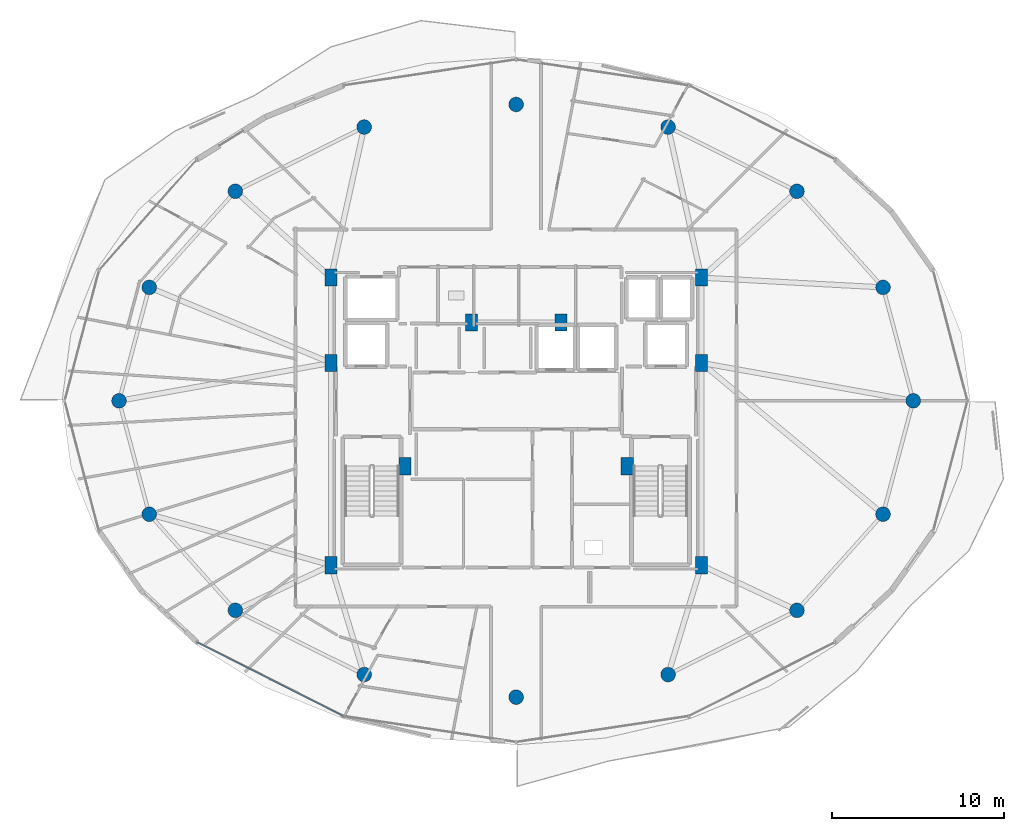
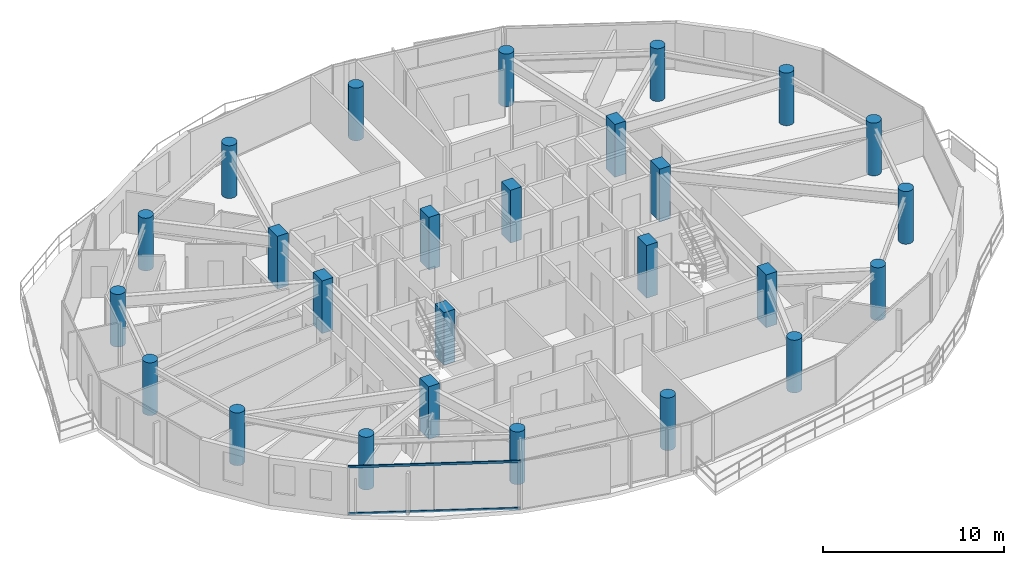
# One storey, part 1 of 25: 26 columns, 2 members, 1 element without a shape of its own.
"""IFC4 building model written with IfcOpenShell, lengths in metres."""

from ifc_helpers import new_model, si_unit, direction, frame, origin, origin_2d, place, context, subcontext, project, spatial, rectangle, hollow_rectangle, circle, extrude, material, material_profile, profile_set, type_object, element, aggregate, save


model = new_model("IFC4")

# Units and contexts
model_context = context("Model", 3, precision=1e-05, world=origin(), true_north=direction((0.0, 1.0)))
body_context = subcontext(model_context, "Body", "Model", "MODEL_VIEW")
ifc_project = project(units=[si_unit("LENGTHUNIT", "METRE"), si_unit("AREAUNIT", "SQUARE_METRE"), si_unit("VOLUMEUNIT", "CUBIC_METRE"), si_unit("PLANEANGLEUNIT", "RADIAN"), si_unit("MASSUNIT", "GRAM", prefix="KILO")], contexts=[model_context])

# Site, building, storey
site_placement = place(None, origin())
site = spatial("IfcSite", under=ifc_project, at=site_placement, CompositionType="ELEMENT")
building_placement = place(site_placement, origin())
building = spatial("IfcBuilding", under=site, at=building_placement, Name="Vorneva Point Tower", CompositionType="ELEMENT")
storey_placement = place(building_placement, frame((0.0, 0.0, 276.85009765625)))
storey = spatial("IfcBuildingStorey", under=building, at=storey_placement, Name="L75", CompositionType="ELEMENT", Elevation=276.85009765625)

# Columns
ifc_material_1 = material(Name="Concrete B50 (C40/50)", Category="concrete")
ifc_material_profile_1 = material_profile(ifc_material_1, circle(Radius=0.425048828125, at=origin_2d()), Name="RC-CIRC 850")
ifc_profile_set_1 = profile_set([ifc_material_profile_1], Name="Concrete B50 (C40/50)")
column_type_1 = type_object("IfcColumnType", Name="COL-RC850C", PredefinedType="COLUMN", material=ifc_profile_set_1)
for number, where, z_axis, x_axis, name in (
    (1, (61.050048828125, 26.0, 0.0), (0.0, 0.0, 1.0), (1.0, 0.0, 0.0), "L75 Perimeter Column P01"),
    (2, (59.29541015625, 32.582275390625, 0.0), (0.0, 0.0, 1.0), (0.923879532511, 0.382683432365, 0.0), "L75 Perimeter Column P02"),
    (3, (54.298828125, 38.162109375, 0.0), (0.0, 0.0, 1.0), (0.707106781187, 0.707106781187, 0.0), "L75 Perimeter Column P03"),
    (4, (46.82080078125, 41.890625, 0.0), (0.0, 0.0, 1.0), (0.382683432365, 0.923879532511, 0.0), "L75 Perimeter Column P04"),
    (5, (38.0, 43.199951171875, 0.0), (0.0, 0.0, 1.0), (0.0, 1.0, 0.0), "L75 Perimeter Column P05"),
    (6, (29.17919921875, 41.890625, 0.0), (0.0, 0.0, 1.0), (-0.382683432365, 0.923879532511, 0.0), "L75 Perimeter Column P06"),
    (7, (21.701171875, 38.162109375, 0.0), (0.0, 0.0, 1.0), (-0.707106781187, 0.707106781187, 0.0), "L75 Perimeter Column P07"),
    (8, (16.70458984375, 32.582275390625, 0.0), (0.0, 0.0, 1.0), (-0.923879532511, 0.382683432365, 0.0), "L75 Perimeter Column P08"),
    (9, (14.949951171875, 26.0, 0.0), (0.0, 0.0, 1.0), (-1.0, 0.0, 0.0), "L75 Perimeter Column P09"),
    (10, (16.70458984375, 19.417724609375, 0.0), (0.0, 0.0, 1.0), (-0.923879532511, -0.382683432365, 0.0), "L75 Perimeter Column P10"),
    (11, (21.701171875, 13.837890625, 0.0), (0.0, 0.0, 1.0), (-0.707106781187, -0.707106781187, 0.0), "L75 Perimeter Column P11"),
    (12, (29.17919921875, 10.109375, 0.0), (0.0, 0.0, 1.0), (-0.382683432365, -0.923879532511, 0.0), "L75 Perimeter Column P12"),
    (13, (38.0, 8.800048828125, 0.0), (0.0, 0.0, 1.0), (0.0, -1.0, 0.0), "L75 Perimeter Column P13"),
    (14, (46.82080078125, 10.109375, 0.0), (0.0, 0.0, 1.0), (0.382683432365, -0.923879532511, 0.0), "L75 Perimeter Column P14"),
    (15, (54.298828125, 13.837890625, 0.0), (0.0, 0.0, 1.0), (0.707106781187, -0.707106781187, 0.0), "L75 Perimeter Column P15"),
    (16, (59.29541015625, 19.417724609375, 0.0), (0.0, 0.0, 1.0), (0.923879532511, -0.382683432365, 0.0), "L75 Perimeter Column P16"),
):
    element("IfcColumn", number, at=place(storey_placement, frame(where, z_axis=z_axis, x_axis=x_axis)), inside=storey, type_object=column_type_1, Name=name, PredefinedType="COLUMN", context=body_context, shape_type="SweptSolid", body=[
        extrude(circle(Radius=0.425048828125, at=origin_2d()), origin(), (0.0, 0.0, 1.0), 3.5498046875),
    ])
ifc_material_profile_2 = material_profile(ifc_material_1, rectangle(XDim=0.699951171875, YDim=1.0, at=origin_2d()), Name="RC-PIL 1000x700")
ifc_profile_set_2 = profile_set([ifc_material_profile_2], Name="Concrete B50 (C40/50)")
column_type_2 = type_object("IfcColumnType", Name="PIL-RC1000x700", PredefinedType="PILASTER", material=ifc_profile_set_2)
for number, where, z_axis, x_axis, name in (
    (17, (27.25, 16.449951171875, 0.0), (0.0, 0.0, 1.0), (1.0, 0.0, 0.0), "L75 Core Pilaster CP1"),
    (18, (27.25, 28.199951171875, 0.0), (0.0, 0.0, 1.0), (1.0, 0.0, 0.0), "L75 Core Pilaster CP2"),
    (19, (27.25, 33.14990234375, 0.0), (0.0, 0.0, 1.0), (1.0, 0.0, 0.0), "L75 Core Pilaster CP3"),
    (20, (31.550048828125, 22.199951171875, 0.0), (0.0, 0.0, 1.0), (1.0, 0.0, 0.0), "L75 Core Pilaster CP4"),
    (21, (48.75, 33.14990234375, 0.0), (0.0, 0.0, 1.0), (1.0, 0.0, 0.0), "L75 Core Pilaster CP5"),
    (22, (48.75, 28.199951171875, 0.0), (0.0, 0.0, 1.0), (1.0, 0.0, 0.0), "L75 Core Pilaster CP6"),
    (23, (48.75, 16.449951171875, 0.0), (0.0, 0.0, 1.0), (1.0, 0.0, 0.0), "L75 Core Pilaster CP7"),
    (24, (44.449951171875, 22.199951171875, 0.0), (0.0, 0.0, 1.0), (1.0, 0.0, 0.0), "L75 Core Pilaster CP8"),
    (25, (35.39990234375, 30.550048828125, 0.0), (0.0, 0.0, 1.0), (1.0, 0.0, 0.0), "L75 Core Pilaster CP9"),
    (26, (40.60009765625, 30.550048828125, 0.0), (0.0, 0.0, 1.0), (1.0, 0.0, 0.0), "L75 Core Pilaster CP10"),
):
    element("IfcColumn", number, at=place(storey_placement, frame(where, z_axis=z_axis, x_axis=x_axis)), inside=storey, type_object=column_type_2, Name=name, PredefinedType="PILASTER", context=body_context, shape_type="SweptSolid", body=[
        extrude(rectangle(XDim=0.699951171875, YDim=1.0, at=origin_2d()), origin(), (0.0, 0.0, 1.0), 3.5498046875),
    ])

# Curtain wall, members
ifc_material_2 = material(Name="Pale anodised aluminium", Category="aluminium")
curtain_wall_type = type_object("IfcCurtainWallType", Name="CW-RES-SYS", PredefinedType="NOTDEFINED", material=ifc_material_2)
curtain_wall_placement = place(storey_placement, origin())
curtain_wall = element("IfcCurtainWall", 27, at=curtain_wall_placement, inside=storey, type_object=curtain_wall_type, Name="L75 Unitised Curtain Wall CW-L75-R04", PredefinedType="NOTDEFINED")
ifc_material_profile_3 = material_profile(ifc_material_2, hollow_rectangle(XDim=0.074951171875, YDim=0.14990234375, WallThickness=0.00390625, at=origin_2d()), Name="AL-TRN 150x75x4")
ifc_profile_set_3 = profile_set([ifc_material_profile_3], Name="Pale anodised aluminium")
member_type = type_object("IfcMemberType", Name="CW-TRN-150", PredefinedType="USERDEFINED", material=ifc_profile_set_3)
member_1_placement = place(storey_placement, frame((19.473876953125, 11.9921875, 0.02001953125), z_axis=(0.892558185815, -0.450932239848, 0.0), x_axis=(0.450932239848, 0.892558185815, 0.0)))
member_1 = element("IfcMember", 28, at=member_1_placement, type_object=member_type, Name="CW-L75-R04 Transom 01.1", ObjectType="TRANSOM", PredefinedType="USERDEFINED", context=body_context, shape_type="SweptSolid", body=[
    extrude(hollow_rectangle(XDim=0.074951171875, YDim=0.14990234375, WallThickness=0.00390625, at=origin_2d()), origin(), (0.0, 0.0, 1.0), 9.52294921875),
])
member_2_placement = place(storey_placement, frame((19.473876953125, 11.9921875, 3.169921875), z_axis=(0.892558185815, -0.450932239848, 0.0), x_axis=(0.450932239848, 0.892558185815, 0.0)))
member_2 = element("IfcMember", 29, at=member_2_placement, type_object=member_type, Name="CW-L75-R04 Transom 01.2", ObjectType="TRANSOM", PredefinedType="USERDEFINED", context=body_context, shape_type="SweptSolid", body=[
    extrude(hollow_rectangle(XDim=0.074951171875, YDim=0.14990234375, WallThickness=0.00390625, at=origin_2d()), origin(), (0.0, 0.0, 1.0), 9.52294921875),
])
aggregate(curtain_wall, [member_1, member_2])

save(model, "model.ifc")
